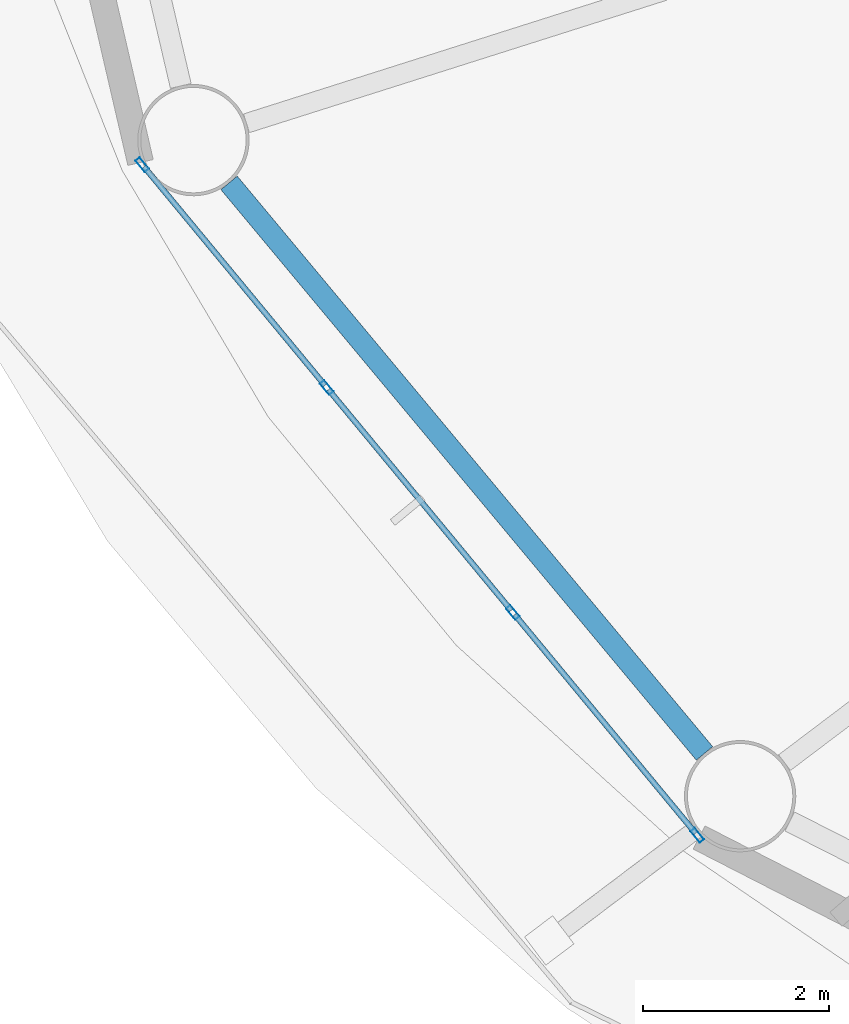
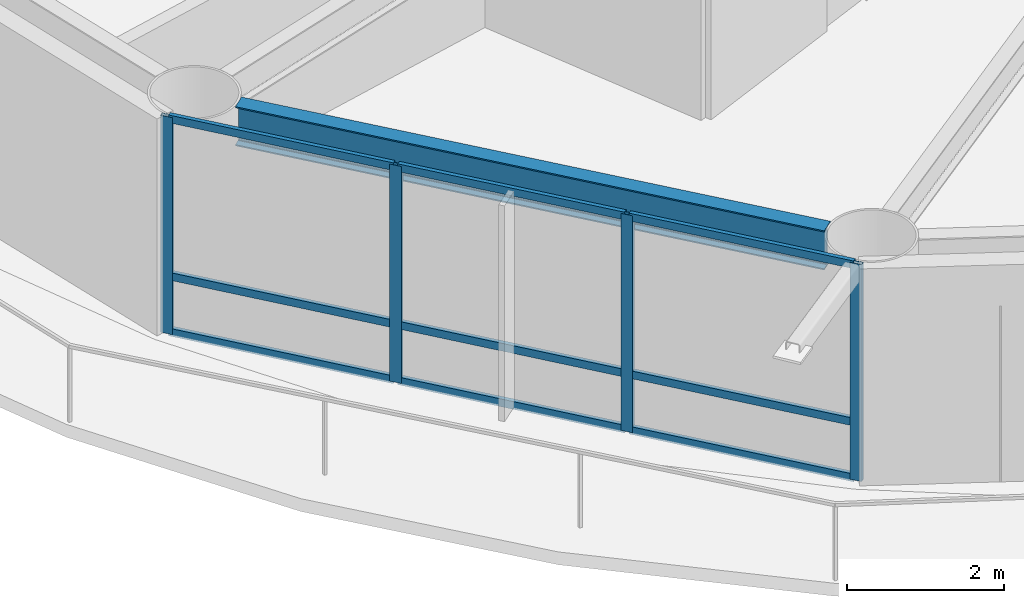
# One storey, part 2 of 24: 13 members, 1 beam, 1 element without a shape of its own.
"""IFC4 building model written with IfcOpenShell, lengths in metres."""

from ifc_helpers import new_model, si_unit, direction, frame, origin, origin_2d, place, context, subcontext, project, spatial, hollow_rectangle, i_section, extrude, material, layer, layer_set, material_profile, profile_set, type_object, element, aggregate, save


model = new_model("IFC4")

# Units and contexts
model_context = context("Model", 3, precision=1e-05, world=origin(), true_north=direction((0.0, 1.0)))
body_context = subcontext(model_context, "Body", "Model", "MODEL_VIEW")
ifc_project = project(units=[si_unit("LENGTHUNIT", "METRE"), si_unit("AREAUNIT", "SQUARE_METRE"), si_unit("VOLUMEUNIT", "CUBIC_METRE"), si_unit("PLANEANGLEUNIT", "RADIAN"), si_unit("MASSUNIT", "GRAM", prefix="KILO")], contexts=[model_context])

# Site, building, storey
site_placement = place(None, origin())
site = spatial("IfcSite", under=ifc_project, at=site_placement, CompositionType="ELEMENT")
building_placement = place(site_placement, origin())
building = spatial("IfcBuilding", under=site, at=building_placement, Name="Sarneth Arch Tower", CompositionType="ELEMENT")
storey_placement = place(building_placement, frame((0.0, 0.0, 112.800048828125)))
storey = spatial("IfcBuildingStorey", under=building, at=storey_placement, Name="L28", CompositionType="ELEMENT", Elevation=112.800048828125)

# Beam
ifc_material_1 = material(Name="Steel S355", Category="steel")
ifc_material_profile_1 = material_profile(ifc_material_1, i_section(OverallWidth=0.22900390625, OverallDepth=0.612060546875, WebThickness=0.011962890625, FlangeThickness=0.01953125, FilletRadius=0.01904296875, at=origin_2d()), Name="W610x125")
ifc_profile_set_1 = profile_set([ifc_material_profile_1], Name="Steel S355")
beam_type = type_object("IfcBeamType", Name="BM-SPAN-610C", PredefinedType="SPANDREL", material=ifc_profile_set_1)
beam_placement = place(storey_placement, frame((22.093017578125, 33.196533203125, 3.073974609375), z_axis=(0.640163403463, -0.768238775946, 0.0), x_axis=(0.768238775946, 0.640163403463, 0.0)))
element("IfcBeam", 1, at=beam_placement, inside=storey, type_object=beam_type, Name="L28 Perimeter spandrel beam 10", PredefinedType="SPANDREL", context=body_context, shape_type="SweptSolid", body=[
    extrude(i_section(OverallWidth=0.22900390625, OverallDepth=0.612060546875, WebThickness=0.011962890625, FlangeThickness=0.01953125, FilletRadius=0.01904296875, at=origin_2d()), origin(), (0.0, 0.0, 1.0), 8.006103515625),
])

# Curtain wall, members
ifc_material_2 = material(Name="Anodised aluminium Type AA25 and solar-control low-e laminated IGU", Category="aluminium")
ifc_layer = layer(ifc_material_2, 0.159912109375)
ifc_layer_set = layer_set([ifc_layer], Name="Anodised aluminium Type AA25 and solar-control low-e laminated IGU")
curtain_wall_type = type_object("IfcCurtainWallType", Name="CW-HOTEL-MID", PredefinedType="NOTDEFINED", material=ifc_layer_set)
curtain_wall_placement = place(storey_placement, origin())
curtain_wall = element("IfcCurtainWall", 2, at=curtain_wall_placement, inside=storey, type_object=curtain_wall_type, Name="L28 Unitised curtain wall facet 10", PredefinedType="NOTDEFINED")
ifc_material_3 = material(Name="Anodised Aluminium 6063-T6", Category="aluminium")
ifc_material_profile_2 = material_profile(ifc_material_3, hollow_rectangle(XDim=0.06005859375, YDim=0.159912109375, WallThickness=0.00390625, at=origin_2d()), Name="AL-MULL-160x60x4")
ifc_profile_set_2 = profile_set([ifc_material_profile_2], Name="Anodised Aluminium 6063-T6")
member_type_1 = type_object("IfcMemberType", Name="CW-MULLION", PredefinedType="MULLION", material=ifc_profile_set_2)
member_1_placement = place(storey_placement, frame((21.15771484375, 33.393310546875, 0.0), z_axis=(0.0, 0.0, 1.0), x_axis=(0.770437787363, 0.637515188684, 0.0)))
member_1 = element("IfcMember", 3, at=member_1_placement, type_object=member_type_1, Name="CW-SYS-4 mullion 1", PredefinedType="MULLION", context=body_context, shape_type="SweptSolid", body=[
    extrude(hollow_rectangle(XDim=0.06005859375, YDim=0.159912109375, WallThickness=0.00390625, at=origin_2d()), origin(), (0.0, 0.0, 1.0), 3.3798828125),
])
member_2_placement = place(storey_placement, frame((23.145751953125, 30.99072265625, 0.0), z_axis=(0.0, 0.0, 1.0), x_axis=(0.770437787363, 0.637515188684, 0.0)))
member_2 = element("IfcMember", 4, at=member_2_placement, type_object=member_type_1, Name="CW-SYS-4 mullion 2", PredefinedType="MULLION", context=body_context, shape_type="SweptSolid", body=[
    extrude(hollow_rectangle(XDim=0.06005859375, YDim=0.159912109375, WallThickness=0.00390625, at=origin_2d()), origin(), (0.0, 0.0, 1.0), 3.3798828125),
])
member_3_placement = place(storey_placement, frame((25.15283203125, 28.565185546875, 0.0), z_axis=(0.0, 0.0, 1.0), x_axis=(0.770437787363, 0.637515188684, 0.0)))
member_3 = element("IfcMember", 5, at=member_3_placement, type_object=member_type_1, Name="CW-SYS-4 mullion 3", PredefinedType="MULLION", context=body_context, shape_type="SweptSolid", body=[
    extrude(hollow_rectangle(XDim=0.06005859375, YDim=0.159912109375, WallThickness=0.00390625, at=origin_2d()), origin(), (0.0, 0.0, 1.0), 3.3798828125),
])
member_4_placement = place(storey_placement, frame((27.140869140625, 26.16259765625, 0.0), z_axis=(0.0, 0.0, 1.0), x_axis=(0.770437787363, 0.637515188684, 0.0)))
member_4 = element("IfcMember", 6, at=member_4_placement, type_object=member_type_1, Name="CW-SYS-4 mullion 4", PredefinedType="MULLION", context=body_context, shape_type="SweptSolid", body=[
    extrude(hollow_rectangle(XDim=0.06005859375, YDim=0.159912109375, WallThickness=0.00390625, at=origin_2d()), origin(), (0.0, 0.0, 1.0), 3.3798828125),
])
ifc_material_4 = material(Name="Anodised Aluminium 6063-T6", Category="aluminium")
ifc_material_profile_3 = material_profile(ifc_material_4, hollow_rectangle(XDim=0.06005859375, YDim=0.1201171875, WallThickness=0.00390625, at=origin_2d()), Name="AL-TRAN-120x60x4")
ifc_profile_set_3 = profile_set([ifc_material_profile_3], Name="Anodised Aluminium 6063-T6")
member_type_2 = type_object("IfcMemberType", Name="CW-TRANSOM", PredefinedType="USERDEFINED", material=ifc_profile_set_3)
member_5_placement = place(storey_placement, frame((21.1767578125, 33.3701171875, 0.030029296875), z_axis=(0.637566080343, -0.770395673142, 0.0), x_axis=(0.770395673142, 0.637566080343, 0.0)))
member_5 = element("IfcMember", 7, at=member_5_placement, type_object=member_type_2, Name="CW-SYS-4 transom 1.1", ObjectType="TRANSOM", PredefinedType="USERDEFINED", context=body_context, shape_type="SweptSolid", body=[
    extrude(hollow_rectangle(XDim=0.06005859375, YDim=0.1201171875, WallThickness=0.00390625, at=origin_2d()), origin(), (0.0, 0.0, 1.0), 3.058349609375),
])
member_6_placement = place(storey_placement, frame((21.1767578125, 33.3701171875, 0.89990234375), z_axis=(0.637566080343, -0.770395673142, 0.0), x_axis=(0.770395673142, 0.637566080343, 0.0)))
member_6 = element("IfcMember", 8, at=member_6_placement, type_object=member_type_2, Name="CW-SYS-4 transom 1.2", ObjectType="TRANSOM", PredefinedType="USERDEFINED", context=body_context, shape_type="SweptSolid", body=[
    extrude(hollow_rectangle(XDim=0.06005859375, YDim=0.1201171875, WallThickness=0.00390625, at=origin_2d()), origin(), (0.0, 0.0, 1.0), 3.058349609375),
])
member_7_placement = place(storey_placement, frame((21.1767578125, 33.3701171875, 3.349853515625), z_axis=(0.637566080343, -0.770395673142, 0.0), x_axis=(0.770395673142, 0.637566080343, 0.0)))
member_7 = element("IfcMember", 9, at=member_7_placement, type_object=member_type_2, Name="CW-SYS-4 transom 1.3", ObjectType="TRANSOM", PredefinedType="USERDEFINED", context=body_context, shape_type="SweptSolid", body=[
    extrude(hollow_rectangle(XDim=0.06005859375, YDim=0.1201171875, WallThickness=0.00390625, at=origin_2d()), origin(), (0.0, 0.0, 1.0), 3.058349609375),
])
member_8_placement = place(storey_placement, frame((23.164794921875, 30.9677734375, 0.030029296875), z_axis=(0.637536975021, -0.770419759275, 0.0), x_axis=(0.770419759275, 0.637536975021, 0.0)))
member_8 = element("IfcMember", 10, at=member_8_placement, type_object=member_type_2, Name="CW-SYS-4 transom 2.1", ObjectType="TRANSOM", PredefinedType="USERDEFINED", context=body_context, shape_type="SweptSolid", body=[
    extrude(hollow_rectangle(XDim=0.06005859375, YDim=0.1201171875, WallThickness=0.00390625, at=origin_2d()), origin(), (0.0, 0.0, 1.0), 3.08837890625),
])
member_9_placement = place(storey_placement, frame((23.164794921875, 30.9677734375, 0.89990234375), z_axis=(0.637536975021, -0.770419759275, 0.0), x_axis=(0.770419759275, 0.637536975021, 0.0)))
member_9 = element("IfcMember", 11, at=member_9_placement, type_object=member_type_2, Name="CW-SYS-4 transom 2.2", ObjectType="TRANSOM", PredefinedType="USERDEFINED", context=body_context, shape_type="SweptSolid", body=[
    extrude(hollow_rectangle(XDim=0.06005859375, YDim=0.1201171875, WallThickness=0.00390625, at=origin_2d()), origin(), (0.0, 0.0, 1.0), 3.08837890625),
])
member_10_placement = place(storey_placement, frame((23.164794921875, 30.9677734375, 3.349853515625), z_axis=(0.637536975021, -0.770419759275, 0.0), x_axis=(0.770419759275, 0.637536975021, 0.0)))
member_10 = element("IfcMember", 12, at=member_10_placement, type_object=member_type_2, Name="CW-SYS-4 transom 2.3", ObjectType="TRANSOM", PredefinedType="USERDEFINED", context=body_context, shape_type="SweptSolid", body=[
    extrude(hollow_rectangle(XDim=0.06005859375, YDim=0.1201171875, WallThickness=0.00390625, at=origin_2d()), origin(), (0.0, 0.0, 1.0), 3.08837890625),
])
member_11_placement = place(storey_placement, frame((25.171875, 28.5419921875, 0.030029296875), z_axis=(0.637566080343, -0.770395673142, 0.0), x_axis=(0.770395673142, 0.637566080343, 0.0)))
member_11 = element("IfcMember", 13, at=member_11_placement, type_object=member_type_2, Name="CW-SYS-4 transom 3.1", ObjectType="TRANSOM", PredefinedType="USERDEFINED", context=body_context, shape_type="SweptSolid", body=[
    extrude(hollow_rectangle(XDim=0.06005859375, YDim=0.1201171875, WallThickness=0.00390625, at=origin_2d()), origin(), (0.0, 0.0, 1.0), 3.058349609375),
])
member_12_placement = place(storey_placement, frame((25.171875, 28.5419921875, 0.89990234375), z_axis=(0.637566080343, -0.770395673142, 0.0), x_axis=(0.770395673142, 0.637566080343, 0.0)))
member_12 = element("IfcMember", 14, at=member_12_placement, type_object=member_type_2, Name="CW-SYS-4 transom 3.2", ObjectType="TRANSOM", PredefinedType="USERDEFINED", context=body_context, shape_type="SweptSolid", body=[
    extrude(hollow_rectangle(XDim=0.06005859375, YDim=0.1201171875, WallThickness=0.00390625, at=origin_2d()), origin(), (0.0, 0.0, 1.0), 3.058349609375),
])
member_13_placement = place(storey_placement, frame((25.171875, 28.5419921875, 3.349853515625), z_axis=(0.637566080343, -0.770395673142, 0.0), x_axis=(0.770395673142, 0.637566080343, 0.0)))
member_13 = element("IfcMember", 15, at=member_13_placement, type_object=member_type_2, Name="CW-SYS-4 transom 3.3", ObjectType="TRANSOM", PredefinedType="USERDEFINED", context=body_context, shape_type="SweptSolid", body=[
    extrude(hollow_rectangle(XDim=0.06005859375, YDim=0.1201171875, WallThickness=0.00390625, at=origin_2d()), origin(), (0.0, 0.0, 1.0), 3.058349609375),
])
aggregate(curtain_wall, [member_1, member_2, member_3, member_4, member_5, member_6, member_7, member_8, member_9, member_10, member_11, member_12, member_13])

save(model, "model.ifc")
